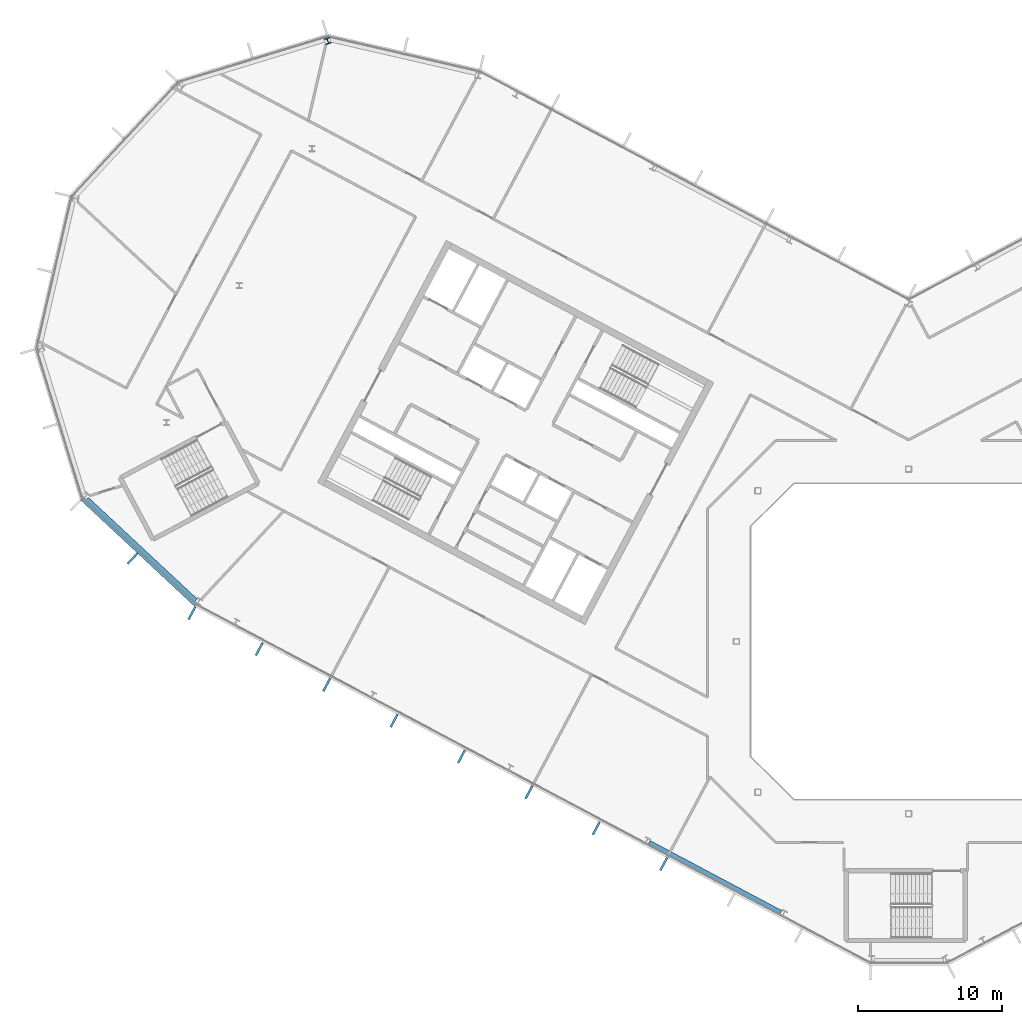
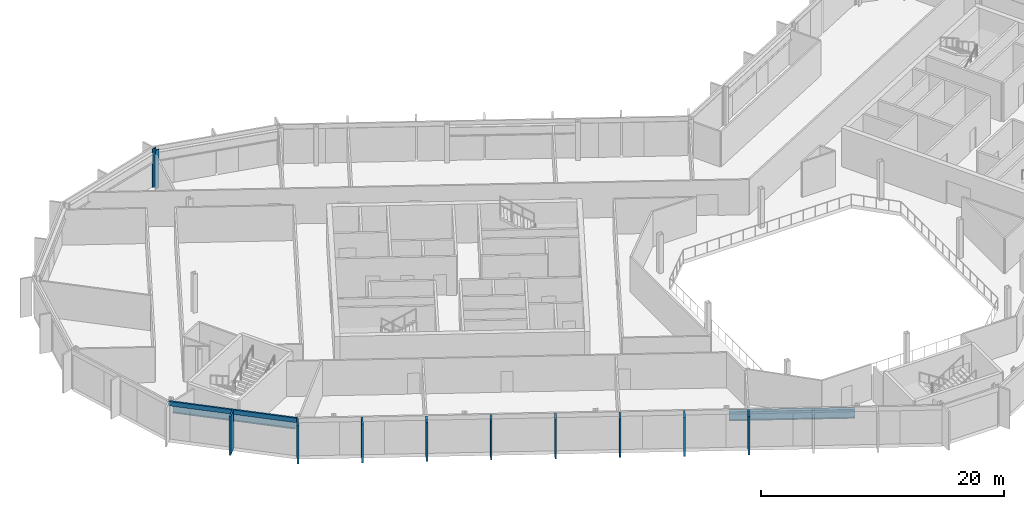
# One storey, part 8 of 26: 10 members, 2 beams, 1 column, 2 elements without a shape of their own.
"""IFC4 building model written with IfcOpenShell, lengths in metres."""

from ifc_helpers import new_model, si_unit, direction, frame, origin, origin_2d, place, context, subcontext, project, spatial, rectangle, i_section, extrude, material, layer, layer_set, material_profile, profile_set, type_object, element, aggregate, save


model = new_model("IFC4")

# Units and contexts
model_context = context("Model", 3, precision=1e-05, world=origin(), true_north=direction((0.0, 1.0)))
body_context = subcontext(model_context, "Body", "Model", "MODEL_VIEW")
ifc_project = project(units=[si_unit("LENGTHUNIT", "METRE"), si_unit("AREAUNIT", "SQUARE_METRE"), si_unit("VOLUMEUNIT", "CUBIC_METRE"), si_unit("PLANEANGLEUNIT", "RADIAN"), si_unit("MASSUNIT", "GRAM", prefix="KILO")], contexts=[model_context])

# Site, building, storey
site_placement = place(None, origin())
site = spatial("IfcSite", under=ifc_project, at=site_placement, CompositionType="ELEMENT")
building_placement = place(site_placement, origin())
building = spatial("IfcBuilding", under=site, at=building_placement, Name="Cormorant Relay Tower", CompositionType="ELEMENT")
storey_placement = place(building_placement, frame((0.0, 0.0, 269.699951171875)))
storey = spatial("IfcBuildingStorey", under=building, at=storey_placement, Name="L60", CompositionType="ELEMENT", Elevation=269.699951171875)

# Column
ifc_material_1 = material(Name="Steel ASTM A992 (Fy 345 MPa)", Category="steel")
ifc_material_profile_1 = material_profile(ifc_material_1, i_section(OverallWidth=0.40380859375, OverallDepth=0.406494140625, WebThickness=0.027099609375, FlangeThickness=0.043701171875, FilletRadius=0.01513671875, at=origin_2d()), Name="W360x347")
ifc_profile_set_1 = profile_set([ifc_material_profile_1], Name="Steel ASTM A992 (Fy 345 MPa)")
column_type = type_object("IfcColumnType", Name="Column W360x347", PredefinedType="COLUMN", material=ifc_profile_set_1)
column_placement = place(storey_placement, frame((-40.455078125, 41.823974609375, 0.0), z_axis=(0.0, 0.0, 1.0), x_axis=(-0.956304755963, -0.292371704723, 0.0)))
element("IfcColumn", 1, at=column_placement, inside=storey, type_object=column_type, Name="Column L60-043", PredefinedType="COLUMN", context=body_context, shape_type="SweptSolid", body=[
    extrude(i_section(OverallWidth=0.40380859375, OverallDepth=0.406494140625, WebThickness=0.027099609375, FlangeThickness=0.043701171875, FilletRadius=0.01513671875, at=origin_2d()), origin(), (0.0, 0.0, 1.0), 3.900146484375),
])

# Curtain wall, member
ifc_material_2 = material(Name="Aluminium 6063-T6 anodised bronze", Category="aluminium")
ifc_layer = layer(ifc_material_2, 0.199951171875)
ifc_layer_set = layer_set([ifc_layer], Name="CW1 unitised bronze curtain wall with vertical fins")
curtain_wall_type = type_object("IfcCurtainWallType", Name="CW1 unitised bronze curtain wall with vertical fins", PredefinedType="NOTDEFINED", material=ifc_layer_set)
curtain_wall_1_placement = place(storey_placement, origin())
curtain_wall_1 = element("IfcCurtainWall", 2, at=curtain_wall_1_placement, inside=storey, type_object=curtain_wall_type, Name="CW1 curtain wall 15", PredefinedType="NOTDEFINED")
ifc_material_3 = material(Name="Aluminium 6063-T6 anodised bronze", Category="aluminium")
ifc_material_profile_2 = material_profile(ifc_material_3, rectangle(XDim=0.14990234375, YDim=1.0, at=origin_2d()), Name="AL 150x1000")
ifc_profile_set_2 = profile_set([ifc_material_profile_2], Name="Aluminium 6063-T6 anodised bronze")
member_type_1 = type_object("IfcMemberType", Name="CW1 bronze fin mullion 150 x 1000", PredefinedType="MULLION", material=ifc_profile_set_2)
member_1_placement = place(storey_placement, frame((-54.0439453125, 5.779296875, 0.0), z_axis=(0.0, 0.0, 1.0), x_axis=(0.731353701619, -0.681998360062, 0.0)))
member_1 = element("IfcMember", 3, at=member_1_placement, type_object=member_type_1, Name="CW1 fin 15.2", PredefinedType="MULLION", context=body_context, shape_type="SweptSolid", body=[
    extrude(rectangle(XDim=0.14990234375, YDim=1.0, at=origin_2d()), origin(), (0.0, 0.0, 1.0), 3.900146484375),
])

# Curtain wall, members
curtain_wall_2_placement = place(storey_placement, origin())
curtain_wall_2 = element("IfcCurtainWall", 4, at=curtain_wall_2_placement, inside=storey, type_object=curtain_wall_type, Name="CW1 curtain wall 16", PredefinedType="NOTDEFINED")
member_2_placement = place(storey_placement, frame((-49.920166015625, 1.96630859375, 0.0), z_axis=(0.0, 0.0, 1.0), x_axis=(0.882947592859, -0.469471562786, 0.0)))
member_2 = element("IfcMember", 5, at=member_2_placement, type_object=member_type_1, Name="CW1 fin 16.1", PredefinedType="MULLION", context=body_context, shape_type="SweptSolid", body=[
    extrude(rectangle(XDim=0.14990234375, YDim=1.0, at=origin_2d()), origin(), (0.0, 0.0, 1.0), 3.900146484375),
])
member_3_placement = place(storey_placement, frame((-45.225830078125, -0.52978515625, 0.0), z_axis=(0.0, 0.0, 1.0), x_axis=(0.882947592859, -0.469471562786, 0.0)))
member_3 = element("IfcMember", 6, at=member_3_placement, type_object=member_type_1, Name="CW1 fin 16.2", PredefinedType="MULLION", context=body_context, shape_type="SweptSolid", body=[
    extrude(rectangle(XDim=0.14990234375, YDim=1.0, at=origin_2d()), origin(), (0.0, 0.0, 1.0), 3.900146484375),
])
member_4_placement = place(storey_placement, frame((-40.531494140625, -3.025634765625, 0.0), z_axis=(0.0, 0.0, 1.0), x_axis=(0.882947592859, -0.469471562786, 0.0)))
member_4 = element("IfcMember", 7, at=member_4_placement, type_object=member_type_1, Name="CW1 fin 16.3", PredefinedType="MULLION", context=body_context, shape_type="SweptSolid", body=[
    extrude(rectangle(XDim=0.14990234375, YDim=1.0, at=origin_2d()), origin(), (0.0, 0.0, 1.0), 3.900146484375),
])
member_5_placement = place(storey_placement, frame((-35.83740234375, -5.521728515625, 0.0), z_axis=(0.0, 0.0, 1.0), x_axis=(0.882947592859, -0.469471562786, 0.0)))
member_5 = element("IfcMember", 8, at=member_5_placement, type_object=member_type_1, Name="CW1 fin 16.4", PredefinedType="MULLION", context=body_context, shape_type="SweptSolid", body=[
    extrude(rectangle(XDim=0.14990234375, YDim=1.0, at=origin_2d()), origin(), (0.0, 0.0, 1.0), 3.900146484375),
])
member_6_placement = place(storey_placement, frame((-31.14306640625, -8.017578125, 0.0), z_axis=(0.0, 0.0, 1.0), x_axis=(0.882947592859, -0.469471562786, 0.0)))
member_6 = element("IfcMember", 9, at=member_6_placement, type_object=member_type_1, Name="CW1 fin 16.5", PredefinedType="MULLION", context=body_context, shape_type="SweptSolid", body=[
    extrude(rectangle(XDim=0.14990234375, YDim=1.0, at=origin_2d()), origin(), (0.0, 0.0, 1.0), 3.900146484375),
])
member_7_placement = place(storey_placement, frame((-26.44873046875, -10.513671875, 0.0), z_axis=(0.0, 0.0, 1.0), x_axis=(0.882947592859, -0.469471562786, 0.0)))
member_7 = element("IfcMember", 10, at=member_7_placement, type_object=member_type_1, Name="CW1 fin 16.6", PredefinedType="MULLION", context=body_context, shape_type="SweptSolid", body=[
    extrude(rectangle(XDim=0.14990234375, YDim=1.0, at=origin_2d()), origin(), (0.0, 0.0, 1.0), 3.900146484375),
])
member_8_placement = place(storey_placement, frame((-21.754638671875, -13.009765625, 0.0), z_axis=(0.0, 0.0, 1.0), x_axis=(0.882947592859, -0.469471562786, 0.0)))
member_8 = element("IfcMember", 11, at=member_8_placement, type_object=member_type_1, Name="CW1 fin 16.7", PredefinedType="MULLION", context=body_context, shape_type="SweptSolid", body=[
    extrude(rectangle(XDim=0.14990234375, YDim=1.0, at=origin_2d()), origin(), (0.0, 0.0, 1.0), 3.900146484375),
])
member_9_placement = place(storey_placement, frame((-17.060302734375, -15.505615234375, 0.0), z_axis=(0.0, 0.0, 1.0), x_axis=(0.882947592859, -0.469471562786, 0.0)))
member_9 = element("IfcMember", 12, at=member_9_placement, type_object=member_type_1, Name="CW1 fin 16.8", PredefinedType="MULLION", context=body_context, shape_type="SweptSolid", body=[
    extrude(rectangle(XDim=0.14990234375, YDim=1.0, at=origin_2d()), origin(), (0.0, 0.0, 1.0), 3.900146484375),
])
aggregate(curtain_wall_2, [member_2, member_3, member_4, member_5, member_6, member_7, member_8, member_9])

# Member
ifc_material_4 = material(Name="Aluminium 6063-T6 anodised bronze", Category="aluminium")
ifc_material_profile_3 = material_profile(ifc_material_4, rectangle(XDim=0.159912109375, YDim=0.449951171875, at=origin_2d()), Name="AL 160x450")
ifc_profile_set_3 = profile_set([ifc_material_profile_3], Name="Aluminium 6063-T6 anodised bronze")
member_type_2 = type_object("IfcMemberType", Name="CW1 bronze transom 160 x 450", PredefinedType="USERDEFINED", material=ifc_profile_set_3)
member_10_placement = place(storey_placement, frame((-57.62353515625, 9.91015625, 3.675048828125), z_axis=(0.731358420696, -0.681993299437, 0.0), x_axis=(0.681993299437, 0.731358420696, 0.0)))
member_10 = element("IfcMember", 13, at=member_10_placement, type_object=member_type_2, Name="CW1 transom 15", ObjectType="TRANSOM", PredefinedType="USERDEFINED", context=body_context, shape_type="SweptSolid", body=[
    extrude(rectangle(XDim=0.159912109375, YDim=0.449951171875, at=origin_2d()), origin(), (0.0, 0.0, 1.0), 10.870361328125),
])

aggregate(curtain_wall_1, [member_1, member_10])

# Beams
ifc_material_5 = material(Name="Steel ASTM A992 (Fy 345 MPa)", Category="steel")
ifc_material_profile_4 = material_profile(ifc_material_5, i_section(OverallWidth=0.307373046875, OverallDepth=0.927001953125, WebThickness=0.019287109375, FlangeThickness=0.031982421875, FilletRadius=0.01904296875, at=origin_2d()), Name="W920x289")
ifc_profile_set_4 = profile_set([ifc_material_profile_4], Name="Steel ASTM A992 (Fy 345 MPa)")
beam_type = type_object("IfcBeamType", Name="Spandrel W920x289", PredefinedType="SPANDREL", material=ifc_profile_set_4)
beam_1_placement = place(storey_placement, frame((-57.234619140625, 9.921630859375, 3.07666015625), z_axis=(0.731364191518, -0.681987110849, 0.0), x_axis=(0.681987110849, 0.731364191518, 0.0)))
element("IfcBeam", 14, at=beam_1_placement, inside=storey, type_object=beam_type, Name="Spandrel beam L60-015", PredefinedType="SPANDREL", context=body_context, shape_type="SweptSolid", body=[
    extrude(i_section(OverallWidth=0.307373046875, OverallDepth=0.927001953125, WebThickness=0.019287109375, FlangeThickness=0.031982421875, FilletRadius=0.01904296875, at=origin_2d()), origin(), (0.0, 0.0, 1.0), 10.37841796875),
])
beam_2_placement = place(storey_placement, frame((-18.0869140625, -13.992919921875, 3.07666015625), z_axis=(0.882946088703, -0.469474391681, 0.0), x_axis=(0.469474391681, 0.882946088703, 0.0)))
element("IfcBeam", 15, at=beam_2_placement, inside=storey, type_object=beam_type, Name="Spandrel beam L60-016", PredefinedType="SPANDREL", context=body_context, shape_type="SweptSolid", body=[
    extrude(i_section(OverallWidth=0.307373046875, OverallDepth=0.927001953125, WebThickness=0.019287109375, FlangeThickness=0.031982421875, FilletRadius=0.01904296875, at=origin_2d()), origin(), (0.0, 0.0, 1.0), 10.401611328125),
])

save(model, "model.ifc")
